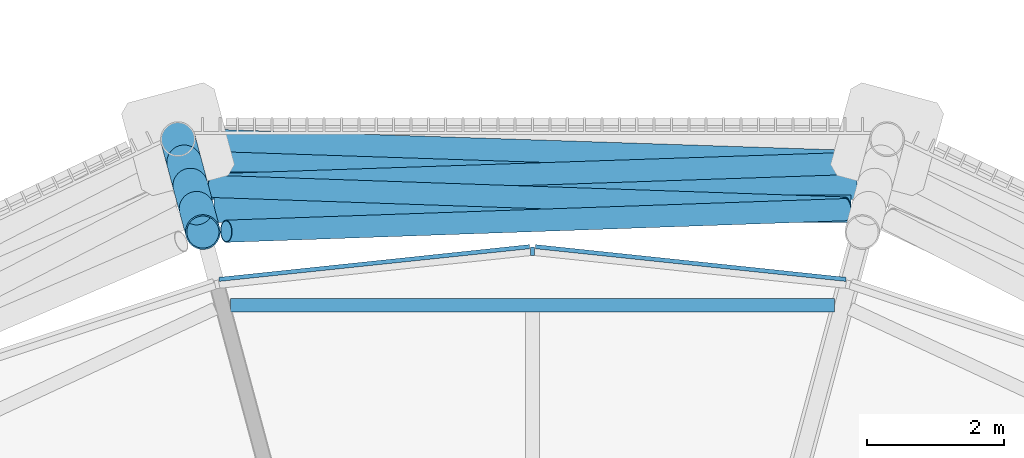
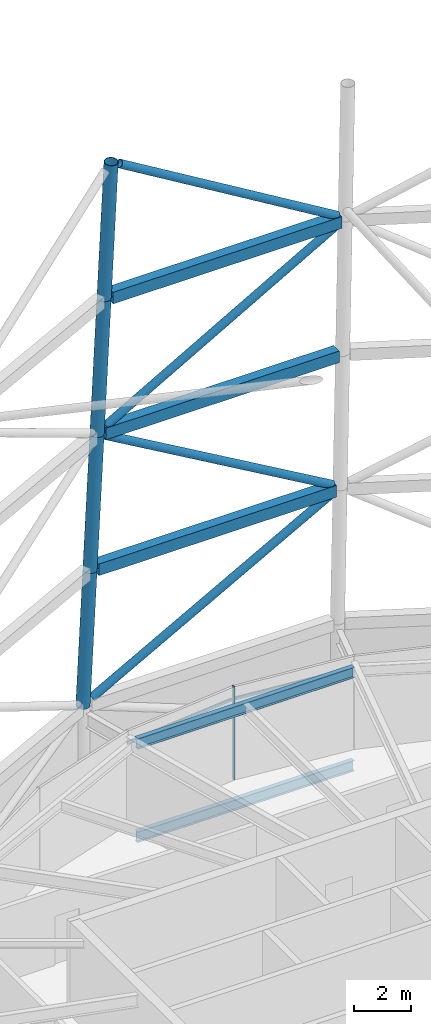
# One storey, part 31 of 71: 11 members, 5 beams, 1 element without a shape of its own.
"""IFC4 building model written with IfcOpenShell, lengths in metres."""

from ifc_helpers import new_model, si_unit, direction, frame, origin, origin_2d, place, context, subcontext, project, spatial, rectangle, hollow_rectangle, hollow_circle, i_section, extrude, material, material_profile, profile_set, type_object, element, aggregate, save


model = new_model("IFC4")

# Units and contexts
model_context = context("Model", 3, precision=1e-05, world=origin(), true_north=direction((0.0, 1.0)))
body_context = subcontext(model_context, "Body", "Model", "MODEL_VIEW")
ifc_project = project(units=[si_unit("LENGTHUNIT", "METRE"), si_unit("AREAUNIT", "SQUARE_METRE"), si_unit("VOLUMEUNIT", "CUBIC_METRE"), si_unit("PLANEANGLEUNIT", "RADIAN"), si_unit("MASSUNIT", "GRAM", prefix="KILO")], contexts=[model_context])

# Site, building, storey
site_placement = place(None, origin())
site = spatial("IfcSite", under=ifc_project, at=site_placement, CompositionType="ELEMENT")
building_placement = place(site_placement, origin())
building = spatial("IfcBuilding", under=site, at=building_placement, Name="Rimbun Link Towers", CompositionType="ELEMENT")
storey_placement = place(building_placement, frame((0.0, 0.0, 267.60009765625)))
storey = spatial("IfcBuildingStorey", under=building, at=storey_placement, Name="L65", CompositionType="ELEMENT", Elevation=267.60009765625)

# Curtain wall, members
ifc_material_1 = material(Name="Aluminium 6063-T6 louvre wall", Category="aluminium")
curtain_wall_type = type_object("IfcCurtainWallType", Name="CW6 plant floor louvre wall", PredefinedType="NOTDEFINED", material=ifc_material_1)
curtain_wall_placement = place(storey_placement, origin())
curtain_wall = element("IfcCurtainWall", 1, at=curtain_wall_placement, inside=storey, type_object=curtain_wall_type, Name="CW6 L65 T1", PredefinedType="NOTDEFINED")
ifc_material_2 = material(Name="Aluminium 6063-T6", Category="aluminium")
ifc_material_profile_1 = material_profile(ifc_material_2, rectangle(XDim=0.1201171875, YDim=0.06005859375, at=origin_2d()), Name="MULLION 60X120")
ifc_profile_set_1 = profile_set([ifc_material_profile_1], Name="Aluminium 6063-T6")
member_type_1 = type_object("IfcMemberType", Name="CW6 mullion 60X120", PredefinedType="MULLION", material=ifc_profile_set_1)
member_1_placement = place(storey_placement, frame((-31.75, 17.63525390625, 0.0), z_axis=(0.0, 0.0, 1.0), x_axis=(0.0, 1.0, 0.0)))
member_1 = element("IfcMember", 2, at=member_1_placement, type_object=member_type_1, Name="CW6 mullion", PredefinedType="MULLION", context=body_context, shape_type="SweptSolid", body=[
    extrude(rectangle(XDim=0.1201171875, YDim=0.06005859375, at=origin_2d()), origin(), (0.0, 0.0, 1.0), 4.0),
])
ifc_material_3 = material(Name="Aluminium 6063-T6", Category="aluminium")
ifc_material_profile_2 = material_profile(ifc_material_3, rectangle(XDim=0.06005859375, YDim=0.1201171875, at=origin_2d()), Name="TRANSOM 60X120")
ifc_profile_set_2 = profile_set([ifc_material_profile_2], Name="Aluminium 6063-T6")
member_type_2 = type_object("IfcMemberType", Name="CW6 transom 60X120", PredefinedType="USERDEFINED", material=ifc_profile_set_2)
member_2_placement = place(storey_placement, frame((-31.70654296875, 17.701416015625, 3.39990234375), z_axis=(0.994500154193, -0.104735110211, 0.0), x_axis=(0.104735110211, 0.994500154193, 0.0)))
member_2 = element("IfcMember", 3, at=member_2_placement, type_object=member_type_2, Name="CW6 transom", ObjectType="TRANSOM", PredefinedType="USERDEFINED", context=body_context, shape_type="SweptSolid", body=[
    extrude(rectangle(XDim=0.06005859375, YDim=0.1201171875, at=origin_2d()), origin(), (0.0, 0.0, 1.0), 4.54541015625),
])
member_3_placement = place(storey_placement, frame((-36.31396484375, 17.225341796875, 3.39990234375), z_axis=(0.994500154193, 0.104735110211, 0.0), x_axis=(-0.104735110211, 0.994500154193, 0.0)))
member_3 = element("IfcMember", 4, at=member_3_placement, type_object=member_type_2, Name="CW6 transom", ObjectType="TRANSOM", PredefinedType="USERDEFINED", context=body_context, shape_type="SweptSolid", body=[
    extrude(rectangle(XDim=0.06005859375, YDim=0.1201171875, at=origin_2d()), origin(), (0.0, 0.0, 1.0), 4.54541015625),
])
aggregate(curtain_wall, [member_1, member_2, member_3])

# Members
ifc_material_4 = material(Name="Steel S355J2H", Category="steel")
ifc_material_profile_3 = material_profile(ifc_material_4, hollow_circle(Radius=0.161865234375, WallThickness=0.011962890625, at=origin_2d()), Name="Crown frame brace CHS 324x12")
ifc_profile_set_3 = profile_set([ifc_material_profile_3], Name="Steel S355J2H")
member_type_3 = type_object("IfcMemberType", Name="Crown frame brace CHS 324x12", PredefinedType="BRACE", material=ifc_profile_set_3)
member_4_placement = place(storey_placement, frame((-36.5673828125, 19.2548828125, 4.2021484375), z_axis=(0.862324864458, -0.028477256798, 0.50555402677), x_axis=(0.033005822291, 0.999455159422, 0.0)))
element("IfcMember", 5, at=member_4_placement, inside=storey, type_object=member_type_3, Name="CROWN FRAME brace T1 2-02", PredefinedType="BRACE", context=body_context, shape_type="SweptSolid", body=[
    extrude(hollow_circle(Radius=0.161865234375, WallThickness=0.011962890625, at=origin_2d()), origin(), (0.0, 0.0, 1.0), 11.06787109375),
])
member_5_placement = place(storey_placement, frame((-27.021484375, 18.916748046875, 10.204833984375), z_axis=(-0.85833756227, -0.028861083157, 0.512273039575), x_axis=(0.033605405466, -0.99943517885, 0.0)))
element("IfcMember", 6, at=member_5_placement, inside=storey, type_object=member_type_3, Name="CROWN FRAME brace T1 3-02", PredefinedType="BRACE", context=body_context, shape_type="SweptSolid", body=[
    extrude(hollow_circle(Radius=0.161865234375, WallThickness=0.011962890625, at=origin_2d()), origin(), (0.0, 0.0, 1.0), 10.912353515625),
])
member_6_placement = place(storey_placement, frame((-36.389404296875, 18.57861328125, 16.20751953125), z_axis=(0.854168033856, -0.02925528353, 0.519173476138), x_axis=(0.034229962117, 0.999413983139, 0.0)))
element("IfcMember", 7, at=member_6_placement, inside=storey, type_object=member_type_3, Name="CROWN FRAME brace T1 4-02", PredefinedType="BRACE", context=body_context, shape_type="SweptSolid", body=[
    extrude(hollow_circle(Radius=0.161865234375, WallThickness=0.011962890625, at=origin_2d()), origin(), (0.0, 0.0, 1.0), 10.7568359375),
])
member_7_placement = place(storey_placement, frame((-27.19921875, 18.240234375, 22.21044921875), z_axis=(-0.849864633989, -0.029657418206, 0.526165887758), x_axis=(0.034875408931, -0.999391667892, 0.0)))
element("IfcMember", 8, at=member_7_placement, inside=storey, type_object=member_type_3, Name="CROWN FRAME brace T1 5-02", PredefinedType="BRACE", context=body_context, shape_type="SweptSolid", body=[
    extrude(hollow_circle(Radius=0.161865234375, WallThickness=0.011962890625, at=origin_2d()), origin(), (0.0, 0.0, 1.0), 10.602783203125),
])
ifc_material_5 = material(Name="Steel S355J2H", Category="steel")
ifc_material_profile_4 = material_profile(ifc_material_5, hollow_circle(Radius=0.25390625, WallThickness=0.02001953125, at=origin_2d()), Name="Crown frame post CHS 508x20")
ifc_profile_set_4 = profile_set([ifc_material_profile_4], Name="Steel S355J2H")
member_type_4 = type_object("IfcMemberType", Name="Crown frame post CHS 508x20", PredefinedType="POST", material=ifc_profile_set_4)
for number, where, z_axis, x_axis, name in (
    (9, (-36.912353515625, 19.266357421875, 4.0), (0.015070401624, -0.056260124661, 0.998302399761), (0.965944938819, 0.258747705633, 0.0), "CROWN FRAME post T1 2-03"),
    (10, (-36.82177734375, 18.92822265625, 10.0), (0.015070401624, -0.056260124661, 0.998302399761), (0.965944938819, 0.258747705633, 0.0), "CROWN FRAME post T1 3-03"),
    (11, (-36.731201171875, 18.590087890625, 16.0), (0.015070436053, -0.056219632067, 0.998304680409), (0.96589819818, 0.258922132605, 0.0), "CROWN FRAME post T1 4-03"),
    (12, (-36.640625, 18.252197265625, 22.0), (0.015070401624, -0.056260124661, 0.998302399761), (0.965944938819, 0.258747705633, 0.0), "CROWN FRAME post T1 5-03"),
):
    element("IfcMember", number, at=place(storey_placement, frame(where, z_axis=z_axis, x_axis=x_axis)), inside=storey, type_object=member_type_4, Name=name, PredefinedType="POST", context=body_context, shape_type="SweptSolid", body=[
        extrude(hollow_circle(Radius=0.25390625, WallThickness=0.02001953125, at=origin_2d()), origin(), (0.0, 0.0, 1.0), 6.01025390625),
    ])

# Beams
ifc_material_6 = material(Name="Steel S355J2", Category="steel")
ifc_material_profile_5 = material_profile(ifc_material_6, hollow_rectangle(XDim=0.39990234375, YDim=0.5, WallThickness=0.02001953125, at=origin_2d()), Name="Crown frame ring beam BOX 400x500x20")
ifc_profile_set_5 = profile_set([ifc_material_profile_5], Name="Steel S355J2")
beam_type_1 = type_object("IfcBeamType", Name="Crown frame ring beam BOX 400x500x20", PredefinedType="BEAM", material=ifc_profile_set_5)
beam_1_placement = place(storey_placement, frame((-26.93212890625, 18.92822265625, 10.0), z_axis=(-1.0, 0.0, 0.0), x_axis=(0.0, -1.0, 0.0)))
element("IfcBeam", 13, at=beam_1_placement, inside=storey, type_object=beam_type_1, Name="CROWN FRAME ring beam T1 2-02", PredefinedType="BEAM", context=body_context, shape_type="SweptSolid", body=[
    extrude(hollow_rectangle(XDim=0.39990234375, YDim=0.5, WallThickness=0.02001953125, at=origin_2d()), origin(), (0.0, 0.0, 1.0), 9.6357421875),
])
beam_2_placement = place(storey_placement, frame((-27.022705078125, 18.590087890625, 16.0), z_axis=(-1.0, 0.0, 0.0), x_axis=(0.0, -1.0, 0.0)))
element("IfcBeam", 14, at=beam_2_placement, inside=storey, type_object=beam_type_1, Name="CROWN FRAME ring beam T1 3-02", PredefinedType="BEAM", context=body_context, shape_type="SweptSolid", body=[
    extrude(hollow_rectangle(XDim=0.39990234375, YDim=0.5, WallThickness=0.02001953125, at=origin_2d()), origin(), (0.0, 0.0, 1.0), 9.45458984375),
])
beam_3_placement = place(storey_placement, frame((-27.11328125, 18.252197265625, 22.0), z_axis=(-1.0, 0.0, 0.0), x_axis=(0.0, -1.0, 0.0)))
element("IfcBeam", 15, at=beam_3_placement, inside=storey, type_object=beam_type_1, Name="CROWN FRAME ring beam T1 4-02", PredefinedType="BEAM", context=body_context, shape_type="SweptSolid", body=[
    extrude(hollow_rectangle(XDim=0.39990234375, YDim=0.5, WallThickness=0.02001953125, at=origin_2d()), origin(), (0.0, 0.0, 1.0), 9.2734375),
])
ifc_material_7 = material(Name="Steel S355J2", Category="steel")
ifc_material_profile_6 = material_profile(ifc_material_7, i_section(OverallWidth=0.18994140625, OverallDepth=0.453369140625, WebThickness=0.008544921875, FlangeThickness=0.0126953125, at=origin_2d()), Name="UB 457x191x67")
ifc_profile_set_6 = profile_set([ifc_material_profile_6], Name="Steel S355J2")
beam_type_2 = type_object("IfcBeamType", Name="UB 457x191x67", PredefinedType="BEAM", material=ifc_profile_set_6)
for number, where, z_axis, x_axis, name in (
    (16, (-27.354248046875, 16.848388671875, -0.4267578125), (-1.0, 0.0, 0.0), (0.0, -1.0, 0.0), "Edge beam T1 L65 05-07"),
    (17, (-27.354248046875, 16.848388671875, 3.5732421875), (-1.0, 0.0, 0.0), (0.0, -1.0, 0.0), "Edge beam T1 L65 05-07"),
):
    element("IfcBeam", number, at=place(storey_placement, frame(where, z_axis=z_axis, x_axis=x_axis)), inside=storey, type_object=beam_type_2, Name=name, PredefinedType="BEAM", context=body_context, shape_type="SweptSolid", body=[
        extrude(i_section(OverallWidth=0.18994140625, OverallDepth=0.453369140625, WebThickness=0.008544921875, FlangeThickness=0.0126953125, at=origin_2d()), origin(), (0.0, 0.0, 1.0), 8.79150390625),
    ])

save(model, "model.ifc")
